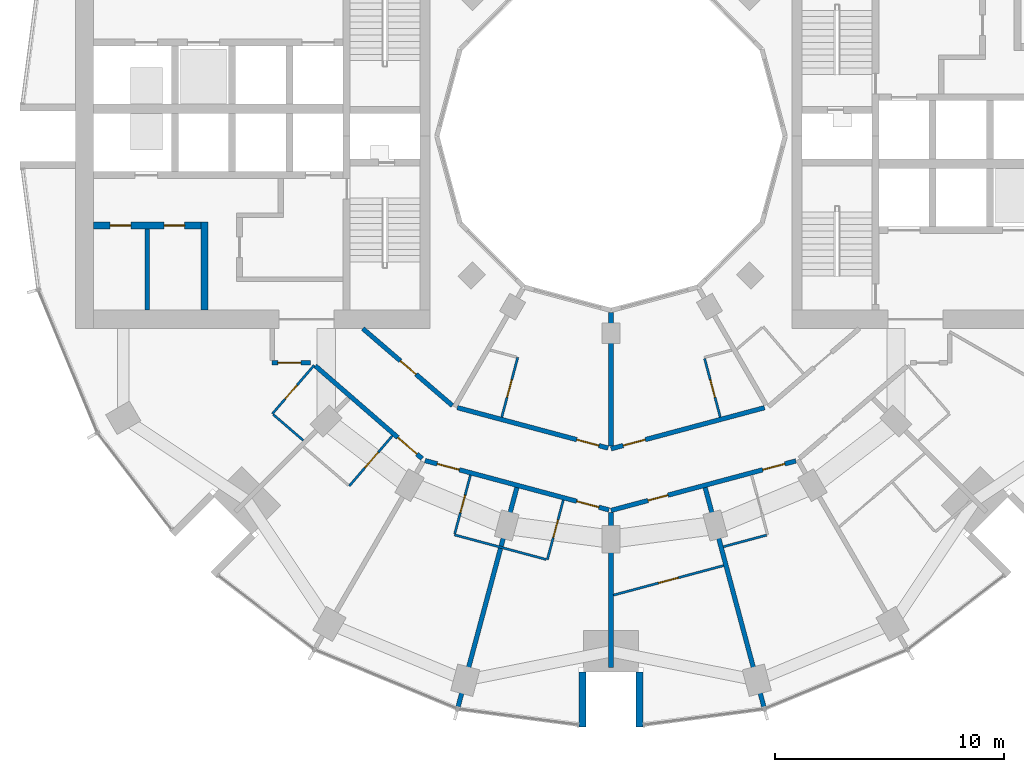
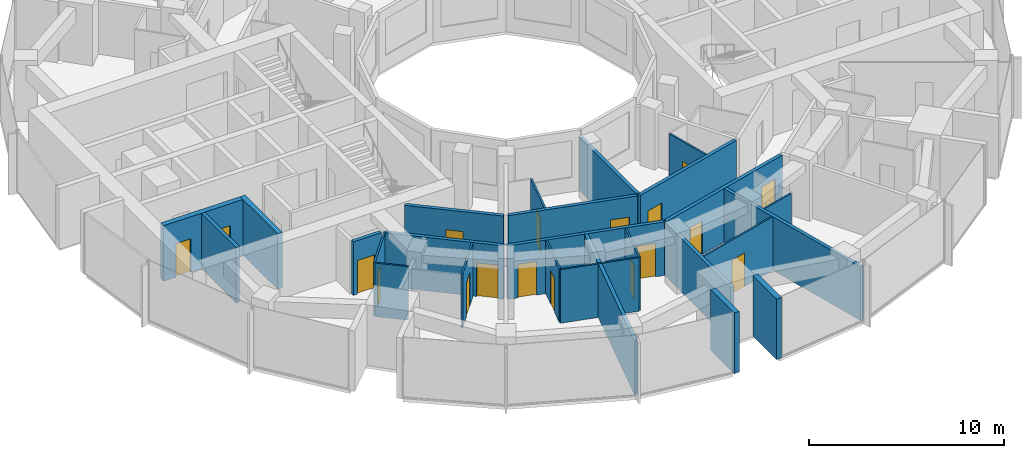
# One storey, part 8 of 15: 26 walls, 18 doors, 18 openings.
"""IFC4 building model written with IfcOpenShell, lengths in metres."""

from ifc_helpers import new_model, si_unit, direction, frame, frame_2d, origin, place, context, subcontext, project, spatial, rectangle, extrude, material, layer, layer_set, type_object, element, fill, save


model = new_model("IFC4")

# Units and contexts
model_context = context("Model", 3, precision=1e-05, world=origin(), true_north=direction((0.0, 1.0)))
body_context = subcontext(model_context, "Body", "Model", "MODEL_VIEW")
ifc_project = project(units=[si_unit("LENGTHUNIT", "METRE"), si_unit("AREAUNIT", "SQUARE_METRE"), si_unit("VOLUMEUNIT", "CUBIC_METRE"), si_unit("PLANEANGLEUNIT", "RADIAN"), si_unit("MASSUNIT", "GRAM", prefix="KILO")], contexts=[model_context])

# Site, building, storey
site_placement = place(None, origin())
site = spatial("IfcSite", under=ifc_project, at=site_placement, CompositionType="ELEMENT")
building_placement = place(site_placement, origin())
building = spatial("IfcBuilding", under=site, at=building_placement, Name="Torre Brocal", CompositionType="ELEMENT")
storey_placement = place(building_placement, frame((0.0, 0.0, 44.0)))
storey = spatial("IfcBuildingStorey", under=building, at=storey_placement, Name="L09", CompositionType="ELEMENT", Elevation=44.0)

# Walls
ifc_material_1 = material(Name="Masonry block", Category="masonry")
ifc_layer_1 = layer(ifc_material_1, 0.199951171875)
ifc_layer_set_1 = layer_set([ifc_layer_1], Name="Masonry block")
wall_type_1 = type_object("IfcWallType", Name="CORE PARTITION 200", PredefinedType="PARTITIONING", material=ifc_layer_set_1)
wall_1_placement = place(storey_placement, frame((59.75, 70.949951171875, 0.0), z_axis=(0.0, 0.0, 1.0), x_axis=(0.0, -1.0, 0.0)))
element("IfcWall", 1, at=wall_1_placement, inside=storey, type_object=wall_type_1, Name="Wall CP200", PredefinedType="PARTITIONING", context=body_context, shape_type="SweptSolid", body=[
    extrude(rectangle(XDim=3.550048828125, YDim=0.199951171875, at=frame_2d((1.77490234375, 0.0))), origin(), (0.0, 0.0, 1.0), 3.47998046875),
])
ifc_material_2 = material(Name="Concrete C80", Category="concrete")
ifc_layer_2 = layer(ifc_material_2, 0.300048828125)
ifc_layer_set_2 = layer_set([ifc_layer_2], Name="Concrete C80")
wall_type_2 = type_object("IfcWallType", Name="CORE WALL 300 C80", PredefinedType="SHEAR", material=ifc_layer_set_2)
wall_2_placement = place(storey_placement, frame((62.25, 71.25, 0.0), z_axis=(0.0, 0.0, 1.0), x_axis=(0.0, -1.0, 0.0)))
element("IfcWall", 2, at=wall_2_placement, inside=storey, type_object=wall_type_2, Name="Wall CW300-80", PredefinedType="SHEAR", context=body_context, shape_type="SweptSolid", body=[
    extrude(rectangle(XDim=3.85009765625, YDim=0.300048828125, at=frame_2d((1.925048828125, 0.0))), origin(), (0.0, 0.0, 1.0), 3.47998046875),
])

# Wall, openings, doors
wall_3_placement = place(storey_placement, frame((62.10009765625, 71.10009765625, 0.0), z_axis=(0.0, 0.0, 1.0), x_axis=(-1.0, 0.0, 0.0)))
wall_3 = element("IfcWall", 3, at=wall_3_placement, inside=storey, type_object=wall_type_2, Name="Wall CW300-80", PredefinedType="SHEAR", context=body_context, shape_type="SweptSolid", body=[
    extrude(rectangle(XDim=4.7001953125, YDim=0.300048828125, at=frame_2d((2.35009765625, 0.0))), origin(), (0.0, 0.0, 1.0), 3.47998046875),
])
opening_1_placement = place(wall_3_placement, frame((0.72509765625, 0.0, 0.0)))
opening_1 = element("IfcOpeningElement", 4, at=opening_1_placement, cuts=wall_3, Name="Opening W-D05", PredefinedType="OPENING", context=body_context, shape_type="SweptSolid", body=[
    extrude(rectangle(XDim=0.89990234375, YDim=2.10009765625, at=frame_2d((0.449951171875, 1.050048828125))), frame((0.0, 0.159912109375, 0.0), z_axis=(0.0, -1.0, 0.0), x_axis=(1.0, 0.0, 0.0)), (0.0, 0.0, 1.0), 0.320068359375),
])
opening_2_placement = place(wall_3_placement, frame((3.074951171875, 0.0, 0.0)))
opening_2 = element("IfcOpeningElement", 5, at=opening_2_placement, cuts=wall_3, Name="Opening W-D06", PredefinedType="OPENING", context=body_context, shape_type="SweptSolid", body=[
    extrude(rectangle(XDim=0.89990234375, YDim=2.10009765625, at=frame_2d((0.449951171875, 1.050048828125))), frame((0.0, 0.159912109375, 0.0), z_axis=(0.0, -1.0, 0.0), x_axis=(1.0, 0.0, 0.0)), (0.0, 0.0, 1.0), 0.320068359375),
])
ifc_material_3 = material(Name="Steel A653", Category="steel")
door_type_1 = type_object("IfcDoorType", Name="ROOM DOOR FD30S 900X2100", OperationType="SINGLE_SWING_LEFT", PredefinedType="DOOR", material=ifc_material_3)
door_1_placement = place(opening_1_placement, origin())
door_1 = element("IfcDoor", 6, at=door_1_placement, inside=storey, type_object=door_type_1, Name="Door W-D05", OperationType="SINGLE_SWING_RIGHT", OverallHeight=2.10009765625, OverallWidth=0.89990234375, PredefinedType="DOOR", context=body_context, shape_type="SweptSolid", body=[
    extrude(rectangle(XDim=0.89990234375, YDim=2.10009765625, at=frame_2d((0.449951171875, 1.050048828125))), frame((0.0, 0.02490234375, 0.0), z_axis=(0.0, -1.0, 0.0), x_axis=(1.0, 0.0, 0.0)), (0.0, 0.0, 1.0), 0.050048828125),
])
fill(opening_1, door_1)
door_2_placement = place(opening_2_placement, origin())
door_2 = element("IfcDoor", 7, at=door_2_placement, inside=storey, type_object=door_type_1, Name="Door W-D06", OperationType="SINGLE_SWING_LEFT", OverallHeight=2.10009765625, OverallWidth=0.89990234375, PredefinedType="DOOR", context=body_context, shape_type="SweptSolid", body=[
    extrude(rectangle(XDim=0.89990234375, YDim=2.10009765625, at=frame_2d((0.449951171875, 1.050048828125))), frame((0.0, 0.02490234375, 0.0), z_axis=(0.0, -1.0, 0.0), x_axis=(1.0, 0.0, 0.0)), (0.0, 0.0, 1.0), 0.050048828125),
])
fill(opening_2, door_2)

# Walls
ifc_material_4 = material(Name="Concrete C80", Category="concrete")
ifc_layer_3 = layer(ifc_material_4, 0.300048828125)
ifc_layer_set_3 = layer_set([ifc_layer_3], Name="Concrete C80")
wall_type_3 = type_object("IfcWallType", Name="NOTCH RETURN WALL 300 C80", PredefinedType="NOTDEFINED", material=ifc_layer_set_3)
for number, where, z_axis, x_axis, name in (
    (8, (78.75, 51.60009765625, 0.0), (0.0, 0.0, 1.0), (0.0, -1.0, 0.0), "NOTCH RETURN WALL"),
    (9, (81.25, 51.60009765625, 0.0), (0.0, 0.0, 1.0), (0.0, -1.0, 0.0), "NOTCH RETURN WALL"),
):
    element("IfcWall", number, at=place(storey_placement, frame(where, z_axis=z_axis, x_axis=x_axis)), inside=storey, type_object=wall_type_3, Name=name, PredefinedType="NOTDEFINED", context=body_context, shape_type="SweptSolid", body=[
        extrude(rectangle(XDim=2.415771484375, YDim=0.300048828125, at=frame_2d((1.2080078125, 0.0))), origin(), (0.0, 0.0, 1.0), 3.800048828125),
    ])
ifc_material_5 = material(Name="Gypsum board", Category="Gypsum")
ifc_layer_4 = layer(ifc_material_5, 0.10009765625)
ifc_layer_set_4 = layer_set([ifc_layer_4], Name="Gypsum board")
wall_type_4 = type_object("IfcWallType", Name="PARTITION 100", PredefinedType="PARTITIONING", material=ifc_layer_set_4)
wall_4_placement = place(storey_placement, frame((65.245849609375, 62.84228515625, 0.0), z_axis=(0.0, 0.0, 1.0), x_axis=(0.758030338995, -0.652219292234, 0.0)))
element("IfcWall", 10, at=wall_4_placement, inside=storey, type_object=wall_type_4, Name="BATHROOM WALL", PredefinedType="PARTITIONING", context=body_context, shape_type="SweptSolid", body=[
    extrude(rectangle(XDim=1.73046875, YDim=0.10009765625, at=frame_2d((0.865234375, 0.0))), origin(), (0.0, 0.0, 1.0), 3.35009765625),
])

# Wall, opening, door
wall_5_placement = place(storey_placement, frame((65.2080078125, 62.875, 0.0), z_axis=(0.0, 0.0, 1.0), x_axis=(0.65205430601, 0.758172264076, 0.0)))
wall_5 = element("IfcWall", 11, at=wall_5_placement, inside=storey, type_object=wall_type_4, Name="BATHROOM WALL", PredefinedType="PARTITIONING", context=body_context, shape_type="SweptSolid", body=[
    extrude(rectangle(XDim=2.7998046875, YDim=0.10009765625, at=frame_2d((1.39990234375, 0.0))), origin(), (0.0, 0.0, 1.0), 3.35009765625),
])
opening_3_placement = place(wall_5_placement, frame((0.85009765625, 0.0, 0.0)))
opening_3 = element("IfcOpeningElement", 12, at=opening_3_placement, cuts=wall_5, Name="Opening H02-D40", PredefinedType="OPENING", context=body_context, shape_type="SweptSolid", body=[
    extrude(rectangle(XDim=0.800048828125, YDim=2.10009765625, at=frame_2d((0.39990234375, 1.050048828125))), frame((0.0, 0.06005859375, 0.0), z_axis=(0.0, -1.0, 0.0), x_axis=(1.0, 0.0, 0.0)), (0.0, 0.0, 1.0), 0.1201171875),
])
ifc_material_6 = material(Name="Timber", Category="wood")
door_type_2 = type_object("IfcDoorType", Name="BATHROOM DOOR 800X2100", OperationType="SINGLE_SWING_LEFT", PredefinedType="DOOR", material=ifc_material_6)
door_3_placement = place(opening_3_placement, frame((0.800048828125, 0.0, 0.0), z_axis=(0.0, 0.0, 1.0), x_axis=(-1.0, 0.0, 0.0)))
door_3 = element("IfcDoor", 13, at=door_3_placement, inside=storey, type_object=door_type_2, Name="H02-D40", OperationType="SINGLE_SWING_RIGHT", OverallHeight=2.10009765625, OverallWidth=0.800048828125, PredefinedType="DOOR", context=body_context, shape_type="SweptSolid", body=[
    extrude(rectangle(XDim=0.800048828125, YDim=2.10009765625, at=frame_2d((0.39990234375, 1.050048828125))), frame((0.0, 0.02490234375, 0.0), z_axis=(0.0, -1.0, 0.0), x_axis=(1.0, 0.0, 0.0)), (0.0, 0.0, 1.0), 0.050048828125),
])
fill(opening_3, door_3)

wall_6_placement = place(storey_placement, frame((68.56591796875, 59.721923828125, 0.0), z_axis=(0.0, 0.0, 1.0), x_axis=(0.65193146671, 0.758277892803, 0.0)))
wall_6 = element("IfcWall", 14, at=wall_6_placement, inside=storey, type_object=wall_type_4, Name="BATHROOM WALL", PredefinedType="PARTITIONING", context=body_context, shape_type="SweptSolid", body=[
    extrude(rectangle(XDim=2.890380859375, YDim=0.10009765625, at=frame_2d((1.4453125, 0.0))), origin(), (0.0, 0.0, 1.0), 3.35009765625),
])
opening_4_placement = place(wall_6_placement, frame((1.050048828125, 0.0, 0.0)))
opening_4 = element("IfcOpeningElement", 15, at=opening_4_placement, cuts=wall_6, Name="Opening H02-D38", PredefinedType="OPENING", context=body_context, shape_type="SweptSolid", body=[
    extrude(rectangle(XDim=0.89990234375, YDim=2.10009765625, at=frame_2d((0.449951171875, 1.050048828125))), frame((0.0, 0.06005859375, 0.0), z_axis=(0.0, -1.0, 0.0), x_axis=(1.0, 0.0, 0.0)), (0.0, 0.0, 1.0), 0.1201171875),
])
ifc_material_7 = material(Name="Timber", Category="wood")
door_type_3 = type_object("IfcDoorType", Name="ACCESSIBLE BATHROOM DOOR 900X2100", OperationType="SINGLE_SWING_LEFT", PredefinedType="DOOR", material=ifc_material_7)
door_4_placement = place(opening_4_placement, origin())
door_4 = element("IfcDoor", 16, at=door_4_placement, inside=storey, type_object=door_type_3, Name="H02-D38", OperationType="SINGLE_SWING_RIGHT", OverallHeight=2.10009765625, OverallWidth=0.89990234375, PredefinedType="DOOR", context=body_context, shape_type="SweptSolid", body=[
    extrude(rectangle(XDim=0.89990234375, YDim=2.10009765625, at=frame_2d((0.449951171875, 1.050048828125))), frame((0.0, 0.02490234375, 0.0), z_axis=(0.0, -1.0, 0.0), x_axis=(1.0, 0.0, 0.0)), (0.0, 0.0, 1.0), 0.050048828125),
])
fill(opening_4, door_4)

wall_7_placement = place(storey_placement, frame((73.173828125, 57.63623046875, 0.0), z_axis=(0.0, 0.0, 1.0), x_axis=(0.258952498977, 0.96589005755, 0.0)))
wall_7 = element("IfcWall", 17, at=wall_7_placement, inside=storey, type_object=wall_type_4, Name="BATHROOM WALL", PredefinedType="PARTITIONING", context=body_context, shape_type="SweptSolid", body=[
    extrude(rectangle(XDim=2.650146484375, YDim=0.10009765625, at=frame_2d((1.3251953125, 0.0))), origin(), (0.0, 0.0, 1.0), 3.35009765625),
])
opening_5_placement = place(wall_7_placement, frame((0.9501953125, 0.0, 0.0)))
opening_5 = element("IfcOpeningElement", 18, at=opening_5_placement, cuts=wall_7, Name="Opening H02-D36", PredefinedType="OPENING", context=body_context, shape_type="SweptSolid", body=[
    extrude(rectangle(XDim=0.800048828125, YDim=2.10009765625, at=frame_2d((0.39990234375, 1.050048828125))), frame((0.0, 0.06005859375, 0.0), z_axis=(0.0, -1.0, 0.0), x_axis=(1.0, 0.0, 0.0)), (0.0, 0.0, 1.0), 0.1201171875),
])
door_5_placement = place(opening_5_placement, frame((0.800048828125, 0.0, 0.0), z_axis=(0.0, 0.0, 1.0), x_axis=(-1.0, 0.0, 0.0)))
door_5 = element("IfcDoor", 19, at=door_5_placement, inside=storey, type_object=door_type_2, Name="H02-D36", OperationType="SINGLE_SWING_LEFT", OverallHeight=2.10009765625, OverallWidth=0.800048828125, PredefinedType="DOOR", context=body_context, shape_type="SweptSolid", body=[
    extrude(rectangle(XDim=0.800048828125, YDim=2.10009765625, at=frame_2d((0.39990234375, 1.050048828125))), frame((0.0, 0.02490234375, 0.0), z_axis=(0.0, -1.0, 0.0), x_axis=(1.0, 0.0, 0.0)), (0.0, 0.0, 1.0), 0.050048828125),
])
fill(opening_5, door_5)

# Wall
wall_8_placement = place(storey_placement, frame((73.160888671875, 57.587890625, 0.0), z_axis=(0.0, 0.0, 1.0), x_axis=(0.965858994467, -0.259068336173, 0.0)))
element("IfcWall", 20, at=wall_8_placement, inside=storey, type_object=wall_type_4, Name="BATHROOM WALL", PredefinedType="PARTITIONING", context=body_context, shape_type="SweptSolid", body=[
    extrude(rectangle(XDim=4.150146484375, YDim=0.10009765625, at=frame_2d((2.0751953125, 0.0))), origin(), (0.0, 0.0, 1.0), 3.35009765625),
])

# Wall, opening, door
wall_9_placement = place(storey_placement, frame((75.226806640625, 62.728759765625, 0.0), z_axis=(0.0, 0.0, 1.0), x_axis=(0.258945475746, 0.965891940432, 0.0)))
wall_9 = element("IfcWall", 21, at=wall_9_placement, inside=storey, type_object=wall_type_4, Name="BATHROOM WALL", PredefinedType="PARTITIONING", context=body_context, shape_type="SweptSolid", body=[
    extrude(rectangle(XDim=2.7001953125, YDim=0.10009765625, at=frame_2d((1.35009765625, 0.0))), origin(), (0.0, 0.0, 1.0), 3.35009765625),
])
opening_6_placement = place(wall_9_placement, frame((0.900146484375, 0.0, 0.0)))
opening_6 = element("IfcOpeningElement", 22, at=opening_6_placement, cuts=wall_9, Name="Opening H02-D46", PredefinedType="OPENING", context=body_context, shape_type="SweptSolid", body=[
    extrude(rectangle(XDim=0.800048828125, YDim=2.10009765625, at=frame_2d((0.39990234375, 1.050048828125))), frame((0.0, 0.06005859375, 0.0), z_axis=(0.0, -1.0, 0.0), x_axis=(1.0, 0.0, 0.0)), (0.0, 0.0, 1.0), 0.1201171875),
])
door_6_placement = place(opening_6_placement, origin())
door_6 = element("IfcDoor", 23, at=door_6_placement, inside=storey, type_object=door_type_2, Name="H02-D46", OperationType="SINGLE_SWING_LEFT", OverallHeight=2.10009765625, OverallWidth=0.800048828125, PredefinedType="DOOR", context=body_context, shape_type="SweptSolid", body=[
    extrude(rectangle(XDim=0.800048828125, YDim=2.10009765625, at=frame_2d((0.39990234375, 1.050048828125))), frame((0.0, 0.02490234375, 0.0), z_axis=(0.0, -1.0, 0.0), x_axis=(1.0, 0.0, 0.0)), (0.0, 0.0, 1.0), 0.050048828125),
])
fill(opening_6, door_6)

wall_10_placement = place(storey_placement, frame((77.218017578125, 56.5009765625, 0.0), z_axis=(0.0, 0.0, 1.0), x_axis=(0.258591408257, 0.965986792651, 0.0)))
wall_10 = element("IfcWall", 24, at=wall_10_placement, inside=storey, type_object=wall_type_4, Name="BATHROOM WALL", PredefinedType="PARTITIONING", context=body_context, shape_type="SweptSolid", body=[
    extrude(rectangle(XDim=2.69921875, YDim=0.10009765625, at=frame_2d((1.349609375, 0.0))), origin(), (0.0, 0.0, 1.0), 3.35009765625),
])
opening_7_placement = place(wall_10_placement, frame((0.99951171875, 0.0, 0.0)))
opening_7 = element("IfcOpeningElement", 25, at=opening_7_placement, cuts=wall_10, Name="Opening H02-D34", PredefinedType="OPENING", context=body_context, shape_type="SweptSolid", body=[
    extrude(rectangle(XDim=0.800048828125, YDim=2.10009765625, at=frame_2d((0.39990234375, 1.050048828125))), frame((0.0, 0.06005859375, 0.0), z_axis=(0.0, -1.0, 0.0), x_axis=(1.0, 0.0, 0.0)), (0.0, 0.0, 1.0), 0.1201171875),
])
door_7_placement = place(opening_7_placement, origin())
door_7 = element("IfcDoor", 26, at=door_7_placement, inside=storey, type_object=door_type_2, Name="H02-D34", OperationType="SINGLE_SWING_RIGHT", OverallHeight=2.10009765625, OverallWidth=0.800048828125, PredefinedType="DOOR", context=body_context, shape_type="SweptSolid", body=[
    extrude(rectangle(XDim=0.800048828125, YDim=2.10009765625, at=frame_2d((0.39990234375, 1.050048828125))), frame((0.0, 0.02490234375, 0.0), z_axis=(0.0, -1.0, 0.0), x_axis=(1.0, 0.0, 0.0)), (0.0, 0.0, 1.0), 0.050048828125),
])
fill(opening_7, door_7)

wall_11_placement = place(storey_placement, frame((80.106201171875, 54.95556640625, 0.0), z_axis=(0.0, 0.0, 1.0), x_axis=(0.965910666284, 0.258875616386, 0.0)))
wall_11 = element("IfcWall", 27, at=wall_11_placement, inside=storey, type_object=wall_type_4, Name="ROOM PARTITION", PredefinedType="PARTITIONING", context=body_context, shape_type="SweptSolid", body=[
    extrude(rectangle(XDim=4.985107421875, YDim=0.10009765625, at=frame_2d((2.49267578125, 0.0))), origin(), (0.0, 0.0, 1.0), 3.35009765625),
])
opening_8_placement = place(wall_11_placement, frame((2.03759765625, 0.0, 0.0)))
opening_8 = element("IfcOpeningElement", 28, at=opening_8_placement, cuts=wall_11, Name="Opening H02-D32", PredefinedType="OPENING", context=body_context, shape_type="SweptSolid", body=[
    extrude(rectangle(XDim=0.89990234375, YDim=2.10009765625, at=frame_2d((0.449951171875, 1.050048828125))), frame((0.0, 0.06005859375, 0.0), z_axis=(0.0, -1.0, 0.0), x_axis=(1.0, 0.0, 0.0)), (0.0, 0.0, 1.0), 0.1201171875),
])
ifc_material_8 = material(Name="Timber", Category="wood")
door_type_4 = type_object("IfcDoorType", Name="ROOM DOOR 900X2100", OperationType="SINGLE_SWING_LEFT", PredefinedType="DOOR", material=ifc_material_8)
door_8_placement = place(opening_8_placement, origin())
door_8 = element("IfcDoor", 29, at=door_8_placement, inside=storey, type_object=door_type_4, Name="H02-D32", OperationType="SINGLE_SWING_LEFT", OverallHeight=2.10009765625, OverallWidth=0.89990234375, PredefinedType="DOOR", context=body_context, shape_type="SweptSolid", body=[
    extrude(rectangle(XDim=0.89990234375, YDim=2.10009765625, at=frame_2d((0.449951171875, 1.050048828125))), frame((0.0, 0.02490234375, 0.0), z_axis=(0.0, -1.0, 0.0), x_axis=(1.0, 0.0, 0.0)), (0.0, 0.0, 1.0), 0.050048828125),
])
fill(opening_8, door_8)

wall_12_placement = place(storey_placement, frame((84.0869140625, 65.288818359375, 0.0), z_axis=(0.0, 0.0, 1.0), x_axis=(0.258929459649, -0.965896234037, 0.0)))
wall_12 = element("IfcWall", 30, at=wall_12_placement, inside=storey, type_object=wall_type_4, Name="BATHROOM WALL", PredefinedType="PARTITIONING", context=body_context, shape_type="SweptSolid", body=[
    extrude(rectangle(XDim=2.650390625, YDim=0.10009765625, at=frame_2d((1.3251953125, 0.0))), origin(), (0.0, 0.0, 1.0), 3.35009765625),
])
opening_9_placement = place(wall_12_placement, frame((0.9501953125, 0.0, 0.0)))
opening_9 = element("IfcOpeningElement", 31, at=opening_9_placement, cuts=wall_12, Name="Opening H02-D44", PredefinedType="OPENING", context=body_context, shape_type="SweptSolid", body=[
    extrude(rectangle(XDim=0.800048828125, YDim=2.10009765625, at=frame_2d((0.39990234375, 1.050048828125))), frame((0.0, 0.06005859375, 0.0), z_axis=(0.0, -1.0, 0.0), x_axis=(1.0, 0.0, 0.0)), (0.0, 0.0, 1.0), 0.1201171875),
])
door_9_placement = place(opening_9_placement, origin())
door_9 = element("IfcDoor", 32, at=door_9_placement, inside=storey, type_object=door_type_2, Name="H02-D44", OperationType="SINGLE_SWING_RIGHT", OverallHeight=2.10009765625, OverallWidth=0.800048828125, PredefinedType="DOOR", context=body_context, shape_type="SweptSolid", body=[
    extrude(rectangle(XDim=0.800048828125, YDim=2.10009765625, at=frame_2d((0.39990234375, 1.050048828125))), frame((0.0, 0.02490234375, 0.0), z_axis=(0.0, -1.0, 0.0), x_axis=(1.0, 0.0, 0.0)), (0.0, 0.0, 1.0), 0.050048828125),
])
fill(opening_9, door_9)

# Wall
wall_13_placement = place(storey_placement, frame((84.90771484375, 57.06982421875, 0.0), z_axis=(0.0, 0.0, 1.0), x_axis=(0.965853538138, 0.25908867761, 0.0)))
element("IfcWall", 33, at=wall_13_placement, inside=storey, type_object=wall_type_4, Name="BATHROOM WALL", PredefinedType="PARTITIONING", context=body_context, shape_type="SweptSolid", body=[
    extrude(rectangle(XDim=1.94970703125, YDim=0.10009765625, at=frame_2d((0.974853515625, 0.0))), origin(), (0.0, 0.0, 1.0), 3.35009765625),
])

# Wall, opening, door
ifc_material_9 = material(Name="Gypsum board", Category="Gypsum")
ifc_layer_5 = layer(ifc_material_9, 0.199951171875)
ifc_layer_set_5 = layer_set([ifc_layer_5], Name="Gypsum board")
wall_type_5 = type_object("IfcWallType", Name="PARTITION 200 EI60", PredefinedType="PARTITIONING", material=ifc_layer_set_5)
wall_14_placement = place(storey_placement, frame((65.199951171875, 65.10009765625, 0.0), z_axis=(0.0, 0.0, 1.0), x_axis=(1.0, 0.0, 0.0)))
wall_14 = element("IfcWall", 34, at=wall_14_placement, inside=storey, type_object=wall_type_5, Name="GUESTROOM CORRIDOR WALL", PredefinedType="PARTITIONING", context=body_context, shape_type="SweptSolid", body=[
    extrude(rectangle(XDim=1.6650390625, YDim=0.199951171875, at=frame_2d((0.83251953125, 0.0))), origin(), (0.0, 0.0, 1.0), 3.35009765625),
])
opening_10_placement = place(wall_14_placement, frame((0.25, 0.0, 0.0)))
opening_10 = element("IfcOpeningElement", 35, at=opening_10_placement, cuts=wall_14, Name="Opening H02-D39", PredefinedType="OPENING", context=body_context, shape_type="SweptSolid", body=[
    extrude(rectangle(XDim=1.0, YDim=2.10009765625, at=frame_2d((0.5, 1.050048828125))), frame((0.0, 0.10986328125, 0.0), z_axis=(0.0, -1.0, 0.0), x_axis=(1.0, 0.0, 0.0)), (0.0, 0.0, 1.0), 0.219970703125),
])
ifc_material_10 = material(Name="Timber", Category="wood")
door_type_5 = type_object("IfcDoorType", Name="FLAT ENTRY DOOR FD30S 1000X2100", OperationType="SINGLE_SWING_RIGHT", PredefinedType="DOOR", material=ifc_material_10)
door_10_placement = place(opening_10_placement, frame((1.0, 0.0, 0.0), z_axis=(0.0, 0.0, 1.0), x_axis=(-1.0, 0.0, 0.0)))
door_10 = element("IfcDoor", 36, at=door_10_placement, inside=storey, type_object=door_type_5, Name="H02-D39", OperationType="SINGLE_SWING_RIGHT", OverallHeight=2.10009765625, OverallWidth=1.0, PredefinedType="DOOR", context=body_context, shape_type="SweptSolid", body=[
    extrude(rectangle(XDim=1.0, YDim=2.10009765625, at=frame_2d((0.5, 1.050048828125))), frame((0.0, 0.02490234375, 0.0), z_axis=(0.0, -1.0, 0.0), x_axis=(1.0, 0.0, 0.0)), (0.0, 0.0, 1.0), 0.050048828125),
])
fill(opening_10, door_10)

wall_15_placement = place(storey_placement, frame((67.08203125, 64.971923828125, 0.0), z_axis=(0.0, 0.0, 1.0), x_axis=(0.755033632617, -0.655686063309, 0.0)))
wall_15 = element("IfcWall", 37, at=wall_15_placement, inside=storey, type_object=wall_type_5, Name="GUESTROOM CORRIDOR WALL", PredefinedType="PARTITIONING", context=body_context, shape_type="SweptSolid", body=[
    extrude(rectangle(XDim=6.185302734375, YDim=0.199951171875, at=frame_2d((3.0927734375, 0.0))), origin(), (0.0, 0.0, 1.0), 3.35009765625),
])
opening_11_placement = place(wall_15_placement, frame((4.778076171875, 0.0, 0.0)))
opening_11 = element("IfcOpeningElement", 38, at=opening_11_placement, cuts=wall_15, Name="Opening H02-D37", PredefinedType="OPENING", context=body_context, shape_type="SweptSolid", body=[
    extrude(rectangle(XDim=1.10009765625, YDim=2.10009765625, at=frame_2d((0.550048828125, 1.050048828125))), frame((0.0, 0.10986328125, 0.0), z_axis=(0.0, -1.0, 0.0), x_axis=(1.0, 0.0, 0.0)), (0.0, 0.0, 1.0), 0.219970703125),
])
ifc_material_11 = material(Name="Timber", Category="wood")
door_type_6 = type_object("IfcDoorType", Name="ACCESSIBLE ENTRY DOOR FD30S 1100X2100", OperationType="SINGLE_SWING_RIGHT", PredefinedType="DOOR", material=ifc_material_11)
door_11_placement = place(opening_11_placement, frame((1.10009765625, 0.0, 0.0), z_axis=(0.0, 0.0, 1.0), x_axis=(-1.0, 0.0, 0.0)))
door_11 = element("IfcDoor", 39, at=door_11_placement, inside=storey, type_object=door_type_6, Name="H02-D37", OperationType="SINGLE_SWING_RIGHT", OverallHeight=2.10009765625, OverallWidth=1.10009765625, PredefinedType="DOOR", context=body_context, shape_type="SweptSolid", body=[
    extrude(rectangle(XDim=1.10009765625, YDim=2.10009765625, at=frame_2d((0.550048828125, 1.050048828125))), frame((0.0, 0.02490234375, 0.0), z_axis=(0.0, -1.0, 0.0), x_axis=(1.0, 0.0, 0.0)), (0.0, 0.0, 1.0), 0.050048828125),
])
fill(opening_11, door_11)

wall_16_placement = place(storey_placement, frame((69.157958984375, 66.60009765625, 0.0), z_axis=(0.0, 0.0, 1.0), x_axis=(0.758063092745, -0.652181222835, 0.0)))
wall_16 = element("IfcWall", 40, at=wall_16_placement, inside=storey, type_object=wall_type_5, Name="CORRIDOR WALL", PredefinedType="PARTITIONING", context=body_context, shape_type="SweptSolid", body=[
    extrude(rectangle(XDim=5.160400390625, YDim=0.199951171875, at=frame_2d((2.580078125, 0.0))), origin(), (0.0, 0.0, 1.0), 3.35009765625),
])
opening_12_placement = place(wall_16_placement, frame((2.165283203125, 0.0, 0.0)))
opening_12 = element("IfcOpeningElement", 41, at=opening_12_placement, cuts=wall_16, Name="Opening H02-D47", PredefinedType="OPENING", context=body_context, shape_type="SweptSolid", body=[
    extrude(rectangle(XDim=0.89990234375, YDim=2.10009765625, at=frame_2d((0.449951171875, 1.050048828125))), frame((0.0, 0.10986328125, 0.0), z_axis=(0.0, -1.0, 0.0), x_axis=(1.0, 0.0, 0.0)), (0.0, 0.0, 1.0), 0.219970703125),
])
door_12_placement = place(opening_12_placement, origin())
door_12 = element("IfcDoor", 42, at=door_12_placement, inside=storey, type_object=door_type_4, Name="H02-D47", OperationType="SINGLE_SWING_LEFT", OverallHeight=2.10009765625, OverallWidth=0.89990234375, PredefinedType="DOOR", context=body_context, shape_type="SweptSolid", body=[
    extrude(rectangle(XDim=0.89990234375, YDim=2.10009765625, at=frame_2d((0.449951171875, 1.050048828125))), frame((0.0, 0.02490234375, 0.0), z_axis=(0.0, -1.0, 0.0), x_axis=(1.0, 0.0, 0.0)), (0.0, 0.0, 1.0), 0.050048828125),
])
fill(opening_12, door_12)

# Wall, openings, doors
wall_17_placement = place(storey_placement, frame((71.877197265625, 60.83154296875, 0.0), z_axis=(0.0, 0.0, 1.0), x_axis=(0.965852509869, -0.259092510851, 0.0)))
wall_17 = element("IfcWall", 43, at=wall_17_placement, inside=storey, type_object=wall_type_5, Name="GUESTROOM CORRIDOR WALL", PredefinedType="PARTITIONING", context=body_context, shape_type="SweptSolid", body=[
    extrude(rectangle(XDim=8.319580078125, YDim=0.199951171875, at=frame_2d((4.15966796875, 0.0))), origin(), (0.0, 0.0, 1.0), 3.35009765625),
])
opening_13_placement = place(wall_17_placement, frame((6.859619140625, 0.0, 0.0)))
opening_13 = element("IfcOpeningElement", 44, at=opening_13_placement, cuts=wall_17, Name="Opening H02-D33", PredefinedType="OPENING", context=body_context, shape_type="SweptSolid", body=[
    extrude(rectangle(XDim=1.0, YDim=2.10009765625, at=frame_2d((0.5, 1.050048828125))), frame((0.0, 0.10986328125, 0.0), z_axis=(0.0, -1.0, 0.0), x_axis=(1.0, 0.0, 0.0)), (0.0, 0.0, 1.0), 0.219970703125),
])
opening_14_placement = place(wall_17_placement, frame((0.550048828125, 0.0, 0.0)))
opening_14 = element("IfcOpeningElement", 45, at=opening_14_placement, cuts=wall_17, Name="Opening H02-D35", PredefinedType="OPENING", context=body_context, shape_type="SweptSolid", body=[
    extrude(rectangle(XDim=1.0, YDim=2.10009765625, at=frame_2d((0.5, 1.050048828125))), frame((0.0, 0.10986328125, 0.0), z_axis=(0.0, -1.0, 0.0), x_axis=(1.0, 0.0, 0.0)), (0.0, 0.0, 1.0), 0.219970703125),
])
door_13_placement = place(opening_13_placement, frame((1.0, 0.0, 0.0), z_axis=(0.0, 0.0, 1.0), x_axis=(-1.0, 0.0, 0.0)))
door_13 = element("IfcDoor", 46, at=door_13_placement, inside=storey, type_object=door_type_5, Name="H02-D33", OperationType="SINGLE_SWING_RIGHT", OverallHeight=2.10009765625, OverallWidth=1.0, PredefinedType="DOOR", context=body_context, shape_type="SweptSolid", body=[
    extrude(rectangle(XDim=1.0, YDim=2.10009765625, at=frame_2d((0.5, 1.050048828125))), frame((0.0, 0.02490234375, 0.0), z_axis=(0.0, -1.0, 0.0), x_axis=(1.0, 0.0, 0.0)), (0.0, 0.0, 1.0), 0.050048828125),
])
fill(opening_13, door_13)
door_14_placement = place(opening_14_placement, frame((1.0, 0.0, 0.0), z_axis=(0.0, 0.0, 1.0), x_axis=(-1.0, 0.0, 0.0)))
door_14 = element("IfcDoor", 47, at=door_14_placement, inside=storey, type_object=door_type_5, Name="H02-D35", OperationType="SINGLE_SWING_LEFT", OverallHeight=2.10009765625, OverallWidth=1.0, PredefinedType="DOOR", context=body_context, shape_type="SweptSolid", body=[
    extrude(rectangle(XDim=1.0, YDim=2.10009765625, at=frame_2d((0.5, 1.050048828125))), frame((0.0, 0.02490234375, 0.0), z_axis=(0.0, -1.0, 0.0), x_axis=(1.0, 0.0, 0.0)), (0.0, 0.0, 1.0), 0.050048828125),
])
fill(opening_14, door_14)

# Wall, opening, door
wall_18_placement = place(storey_placement, frame((73.287353515625, 63.145263671875, 0.0), z_axis=(0.0, 0.0, 1.0), x_axis=(0.965854200194, -0.259086209526, 0.0)))
wall_18 = element("IfcWall", 48, at=wall_18_placement, inside=storey, type_object=wall_type_5, Name="GUESTROOM CORRIDOR WALL", PredefinedType="PARTITIONING", context=body_context, shape_type="SweptSolid", body=[
    extrude(rectangle(XDim=6.819580078125, YDim=0.199951171875, at=frame_2d((3.40966796875, 0.0))), origin(), (0.0, 0.0, 1.0), 3.35009765625),
])
opening_15_placement = place(wall_18_placement, frame((5.399658203125, 0.0, 0.0)))
opening_15 = element("IfcOpeningElement", 49, at=opening_15_placement, cuts=wall_18, Name="Opening H02-D45", PredefinedType="OPENING", context=body_context, shape_type="SweptSolid", body=[
    extrude(rectangle(XDim=1.0, YDim=2.10009765625, at=frame_2d((0.5, 1.050048828125))), frame((0.0, 0.10986328125, 0.0), z_axis=(0.0, -1.0, 0.0), x_axis=(1.0, 0.0, 0.0)), (0.0, 0.0, 1.0), 0.219970703125),
])
door_15_placement = place(opening_15_placement, origin())
door_15 = element("IfcDoor", 50, at=door_15_placement, inside=storey, type_object=door_type_5, Name="H02-D45", OperationType="SINGLE_SWING_RIGHT", OverallHeight=2.10009765625, OverallWidth=1.0, PredefinedType="DOOR", context=body_context, shape_type="SweptSolid", body=[
    extrude(rectangle(XDim=1.0, YDim=2.10009765625, at=frame_2d((0.5, 1.050048828125))), frame((0.0, 0.02490234375, 0.0), z_axis=(0.0, -1.0, 0.0), x_axis=(1.0, 0.0, 0.0)), (0.0, 0.0, 1.0), 0.050048828125),
])
fill(opening_15, door_15)

# Walls
wall_19_placement = place(storey_placement, frame((73.320556640625, 50.081298828125, 0.0), z_axis=(0.0, 0.0, 1.0), x_axis=(0.25891218439, 0.965900864879, 0.0)))
element("IfcWall", 51, at=wall_19_placement, inside=storey, type_object=wall_type_5, Name="BATHROOM WALL", PredefinedType="PARTITIONING", context=body_context, shape_type="SweptSolid", body=[
    extrude(rectangle(XDim=9.909423828125, YDim=0.199951171875, at=frame_2d((4.95458984375, 0.0))), origin(), (0.0, 0.0, 1.0), 3.35009765625),
])
wall_20_placement = place(storey_placement, frame((80.0, 51.800048828125, 0.0), z_axis=(0.0, 0.0, 1.0), x_axis=(0.0, 1.0, 0.0)))
element("IfcWall", 52, at=wall_20_placement, inside=storey, type_object=wall_type_5, Name="SERVICE ROOM WALL", PredefinedType="PARTITIONING", context=body_context, shape_type="SweptSolid", body=[
    extrude(rectangle(XDim=6.763916015625, YDim=0.199951171875, at=frame_2d((3.3818359375, 0.0))), origin(), (0.0, 0.0, 1.0), 3.35009765625),
])

# Wall, openings, doors
wall_21_placement = place(storey_placement, frame((79.999755859375, 58.65478515625, 0.0), z_axis=(0.0, 0.0, 1.0), x_axis=(0.965967338894, 0.258664068224, 0.0)))
wall_21 = element("IfcWall", 53, at=wall_21_placement, inside=storey, type_object=wall_type_5, Name="GUESTROOM CORRIDOR WALL", PredefinedType="PARTITIONING", context=body_context, shape_type="SweptSolid", body=[
    extrude(rectangle(XDim=8.359619140625, YDim=0.199951171875, at=frame_2d((4.1796875, 0.0))), origin(), (0.0, 0.0, 1.0), 3.35009765625),
])
opening_16_placement = place(wall_21_placement, frame((6.859619140625, 0.0, 0.0)))
opening_16 = element("IfcOpeningElement", 54, at=opening_16_placement, cuts=wall_21, Name="Opening H02-D29", PredefinedType="OPENING", context=body_context, shape_type="SweptSolid", body=[
    extrude(rectangle(XDim=1.0, YDim=2.10009765625, at=frame_2d((0.5, 1.050048828125))), frame((0.0, 0.10986328125, 0.0), z_axis=(0.0, -1.0, 0.0), x_axis=(1.0, 0.0, 0.0)), (0.0, 0.0, 1.0), 0.219970703125),
])
opening_17_placement = place(wall_21_placement, frame((1.6748046875, 0.0, 0.0)))
opening_17 = element("IfcOpeningElement", 55, at=opening_17_placement, cuts=wall_21, Name="Opening H02-D31", PredefinedType="OPENING", context=body_context, shape_type="SweptSolid", body=[
    extrude(rectangle(XDim=0.89990234375, YDim=2.10009765625, at=frame_2d((0.449951171875, 1.050048828125))), frame((0.0, 0.10986328125, 0.0), z_axis=(0.0, -1.0, 0.0), x_axis=(1.0, 0.0, 0.0)), (0.0, 0.0, 1.0), 0.219970703125),
])
door_16_placement = place(opening_16_placement, frame((1.0, 0.0, 0.0), z_axis=(0.0, 0.0, 1.0), x_axis=(-1.0, 0.0, 0.0)))
door_16 = element("IfcDoor", 56, at=door_16_placement, inside=storey, type_object=door_type_5, Name="H02-D29", OperationType="SINGLE_SWING_RIGHT", OverallHeight=2.10009765625, OverallWidth=1.0, PredefinedType="DOOR", context=body_context, shape_type="SweptSolid", body=[
    extrude(rectangle(XDim=1.0, YDim=2.10009765625, at=frame_2d((0.5, 1.050048828125))), frame((0.0, 0.02490234375, 0.0), z_axis=(0.0, -1.0, 0.0), x_axis=(1.0, 0.0, 0.0)), (0.0, 0.0, 1.0), 0.050048828125),
])
fill(opening_16, door_16)
door_17_placement = place(opening_17_placement, frame((0.89990234375, 0.0, 0.0), z_axis=(0.0, 0.0, 1.0), x_axis=(-1.0, 0.0, 0.0)))
door_17 = element("IfcDoor", 57, at=door_17_placement, inside=storey, type_object=door_type_4, Name="H02-D31", OperationType="SINGLE_SWING_LEFT", OverallHeight=2.10009765625, OverallWidth=0.89990234375, PredefinedType="DOOR", context=body_context, shape_type="SweptSolid", body=[
    extrude(rectangle(XDim=0.89990234375, YDim=2.10009765625, at=frame_2d((0.449951171875, 1.050048828125))), frame((0.0, 0.02490234375, 0.0), z_axis=(0.0, -1.0, 0.0), x_axis=(1.0, 0.0, 0.0)), (0.0, 0.0, 1.0), 0.050048828125),
])
fill(opening_17, door_17)

# Wall
wall_22_placement = place(storey_placement, frame((80.0, 61.47607421875, 0.0), z_axis=(0.0, 0.0, 1.0), x_axis=(0.0, 1.0, 0.0)))
element("IfcWall", 58, at=wall_22_placement, inside=storey, type_object=wall_type_5, Name="PARTY PARTITION", PredefinedType="PARTITIONING", context=body_context, shape_type="SweptSolid", body=[
    extrude(rectangle(XDim=5.824951171875, YDim=0.199951171875, at=frame_2d((2.91259765625, 0.0))), origin(), (0.0, 0.0, 1.0), 3.35009765625),
])

# Wall, opening, door
wall_23_placement = place(storey_placement, frame((80.0, 61.345947265625, 0.0), z_axis=(0.0, 0.0, 1.0), x_axis=(0.965924181808, 0.258825182312, 0.0)))
wall_23 = element("IfcWall", 59, at=wall_23_placement, inside=storey, type_object=wall_type_5, Name="GUESTROOM CORRIDOR WALL", PredefinedType="PARTITIONING", context=body_context, shape_type="SweptSolid", body=[
    extrude(rectangle(XDim=6.939697265625, YDim=0.199951171875, at=frame_2d((3.4697265625, 0.0))), origin(), (0.0, 0.0, 1.0), 3.35009765625),
])
opening_18_placement = place(wall_23_placement, frame((0.550048828125, 0.0, 0.0)))
opening_18 = element("IfcOpeningElement", 60, at=opening_18_placement, cuts=wall_23, Name="Opening H02-D43", PredefinedType="OPENING", context=body_context, shape_type="SweptSolid", body=[
    extrude(rectangle(XDim=1.0, YDim=2.10009765625, at=frame_2d((0.5, 1.050048828125))), frame((0.0, 0.10986328125, 0.0), z_axis=(0.0, -1.0, 0.0), x_axis=(1.0, 0.0, 0.0)), (0.0, 0.0, 1.0), 0.219970703125),
])
door_18_placement = place(opening_18_placement, origin())
door_18 = element("IfcDoor", 61, at=door_18_placement, inside=storey, type_object=door_type_5, Name="H02-D43", OperationType="SINGLE_SWING_LEFT", OverallHeight=2.10009765625, OverallWidth=1.0, PredefinedType="DOOR", context=body_context, shape_type="SweptSolid", body=[
    extrude(rectangle(XDim=1.0, YDim=2.10009765625, at=frame_2d((0.5, 1.050048828125))), frame((0.0, 0.02490234375, 0.0), z_axis=(0.0, -1.0, 0.0), x_axis=(1.0, 0.0, 0.0)), (0.0, 0.0, 1.0), 0.050048828125),
])
fill(opening_18, door_18)

# Wall
wall_24_placement = place(storey_placement, frame((84.11181640625, 59.65234375, 0.0), z_axis=(0.0, 0.0, 1.0), x_axis=(0.258791091927, -0.965933315886, 0.0)))
element("IfcWall", 62, at=wall_24_placement, inside=storey, type_object=wall_type_5, Name="BATHROOM WALL", PredefinedType="PARTITIONING", context=body_context, shape_type="SweptSolid", body=[
    extrude(rectangle(XDim=9.909423828125, YDim=0.199951171875, at=frame_2d((4.95458984375, 0.0))), origin(), (0.0, 0.0, 1.0), 3.35009765625),
])

save(model, "model.ifc")
